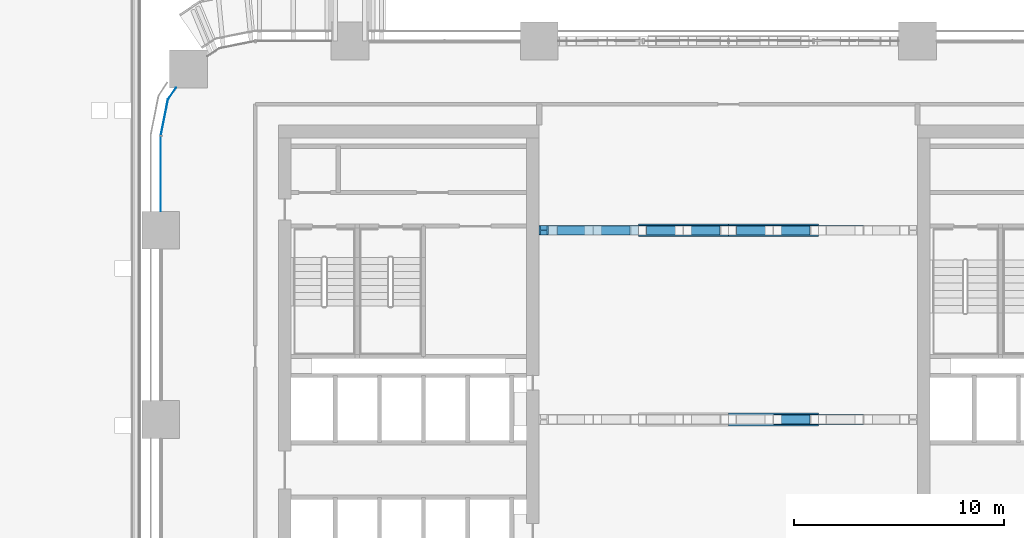
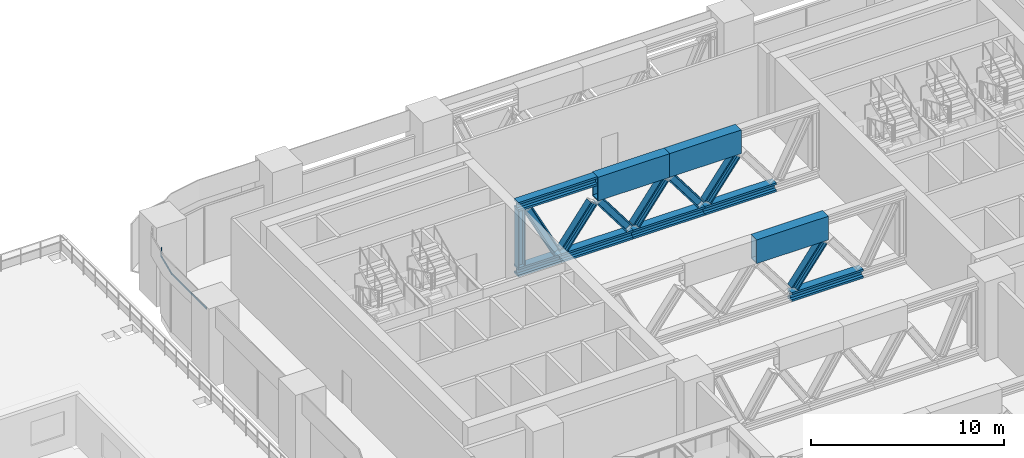
# One storey, part 7 of 35: 18 members, 1 element without a shape of its own.
"""IFC4 building model written with IfcOpenShell, lengths in metres."""

import ifcopenshell
import ifcopenshell.guid

model = None  # the IFC model being written
_history = None  # IfcOwnerHistory: only IFC2X3 demands one
_inside = {}  # id of a spatial element -> (the spatial element, [elements in it])
_under = {}  # id of a project, library or spatial element -> (it, [spatial elements below it])
_declared = {}  # id of a project -> (the project, [libraries it declares])
_typed = {}  # id of a type object -> (the type object, [elements of that type])
_made_of = {}  # id of a material, layer set ... -> (it, [elements and type objects made of it])


def new_model(schema):
    """Start an empty IFC model of exactly this schema.

    Asked for "IFC4X3", IfcOpenShell would pick the latest addendum, in which some entities
    have other attributes; the version numbers below select the first issue.
    IFC2X3 requires an IfcOwnerHistory on every rooted entity: one is made here for all.
    """
    global model, _history
    if schema == "IFC4X3":
        model = ifcopenshell.file(schema_version=(4, 3, 0, 0))
    else:
        model = ifcopenshell.file(schema=schema)
    _inside.clear()
    _under.clear()
    _declared.clear()
    _typed.clear()
    _made_of.clear()
    _history = None
    if model.schema == "IFC2X3":
        org = make("IfcOrganization", Name="unknown")
        user = make(
            "IfcPersonAndOrganization",
            ThePerson=make("IfcPerson", FamilyName="unknown"),
            TheOrganization=org,
        )
        app = make(
            "IfcApplication",
            ApplicationDeveloper=org,
            Version="unknown",
            ApplicationFullName="unknown",
            ApplicationIdentifier="unknown",
        )
        _history = make(
            "IfcOwnerHistory",
            OwningUser=user,
            OwningApplication=app,
            ChangeAction="ADDED",
            CreationDate=0,
        )
    return model


def make(cls, **values):
    """One entity of the class cls with the attributes given. An attribute that is None is left unset."""
    return model.create_entity(
        cls, **{name: value for name, value in values.items() if value is not None}
    )


def rooted(cls, **values):
    """An entity with a GlobalId (a new one), such as an element, a storey or a relation."""
    return make(cls, GlobalId=ifcopenshell.guid.new(), OwnerHistory=_history, **values)


def si_unit(unit_type, name, prefix=None):
    """IfcSIUnit, for example si_unit("LENGTHUNIT", "METRE", prefix="MILLI")."""
    return make("IfcSIUnit", UnitType=unit_type, Prefix=prefix, Name=name)


def assignment(units):
    """IfcUnitAssignment: the units of a project."""
    return None if units is None else make("IfcUnitAssignment", Units=units)


def point(xyz):
    """IfcCartesianPoint."""
    return None if xyz is None else make("IfcCartesianPoint", Coordinates=xyz)


def direction(xyz):
    """IfcDirection."""
    return None if xyz is None else make("IfcDirection", DirectionRatios=xyz)


def frame(location, z_axis=None, x_axis=None):
    """IfcAxis2Placement3D, a coordinate frame: its origin and axes. An axis left out is left unset."""
    return make(
        "IfcAxis2Placement3D",
        Location=point(location),
        Axis=direction(z_axis),
        RefDirection=direction(x_axis),
    )


def frame_2d(location, x_axis=None):
    """IfcAxis2Placement2D, a coordinate frame in the plane: its origin and x axis."""
    return make(
        "IfcAxis2Placement2D", Location=point(location), RefDirection=direction(x_axis)
    )


def origin():
    """The frame at (0, 0, 0) with its axes left unset."""
    return frame((0.0, 0.0, 0.0))


def origin_2d():
    """The frame at (0, 0) in the plane with its x axis left unset."""
    return frame_2d((0.0, 0.0))


def place(relative_to, where):
    """IfcLocalPlacement: puts the frame where relative to a parent placement (None: the world)."""
    return make(
        "IfcLocalPlacement", PlacementRelTo=relative_to, RelativePlacement=where
    )


def context(
    kind, dimensions, precision=None, world=None, true_north=None, identifier=None
):
    """IfcGeometricRepresentationContext, for example the 3D "Model" context."""
    return make(
        "IfcGeometricRepresentationContext",
        ContextIdentifier=identifier,
        ContextType=kind,
        CoordinateSpaceDimension=dimensions,
        Precision=precision,
        WorldCoordinateSystem=world,
        TrueNorth=true_north,
    )


def subcontext(parent, identifier, kind, view, scale=None):
    """IfcGeometricRepresentationSubContext, for example "Body" below "Model"."""
    return make(
        "IfcGeometricRepresentationSubContext",
        ContextIdentifier=identifier,
        ContextType=kind,
        ParentContext=parent,
        TargetScale=scale,
        TargetView=view,
    )


def project(units=None, contexts=None):
    """IfcProject with its units and contexts."""
    return rooted(
        "IfcProject",
        Name="project",
        RepresentationContexts=contexts,
        UnitsInContext=assignment(units),
    )


def spatial(cls, under=None, at=None, **own):
    """A site, building, storey or space (cls), placed at a placement, below another one or the project."""
    s = rooted(cls, ObjectPlacement=at, **own)
    if under is not None:
        _under.setdefault(under.id(), (under, []))[1].append(s)
    return s


def polyline(points):
    """IfcPolyline through the points."""
    return make("IfcPolyline", Points=[point(p) for p in points])


def profile(cls, at=None, kind="AREA", **sizes):
    """A parametric profile (cls). Its sizes go by their IFC names, for example OverallWidth=200.0."""
    return make(cls, ProfileType=kind, Position=at, **sizes)


def rectangle(**sizes):
    """IfcRectangleProfileDef."""
    return profile("IfcRectangleProfileDef", **sizes)


def hollow_rectangle(**sizes):
    """IfcRectangleHollowProfileDef."""
    return profile("IfcRectangleHollowProfileDef", **sizes)


def i_section(**sizes):
    """IfcIShapeProfileDef."""
    return profile("IfcIShapeProfileDef", **sizes)


def outline(outer, holes=None, kind="AREA"):
    """IfcArbitraryClosedProfileDef: a profile drawn as a closed curve; with holes, ...WithVoids."""
    if holes is None:
        return make("IfcArbitraryClosedProfileDef", ProfileType=kind, OuterCurve=outer)
    return make(
        "IfcArbitraryProfileDefWithVoids",
        ProfileType=kind,
        OuterCurve=outer,
        InnerCurves=holes,
    )


def extrude(swept, where, along, depth):
    """IfcExtrudedAreaSolid: the profile swept, set in the frame where, extruded along a direction by depth."""
    return make(
        "IfcExtrudedAreaSolid",
        SweptArea=swept,
        Position=where,
        ExtrudedDirection=direction(along),
        Depth=depth,
    )


def shape(context_of_items, identifier, shape_type, items):
    """IfcShapeRepresentation: the items that make up one representation, for example the "Body"."""
    return make(
        "IfcShapeRepresentation",
        ContextOfItems=context_of_items,
        RepresentationIdentifier=identifier,
        RepresentationType=shape_type,
        Items=items,
    )


def material(Name=None, Category=None):
    """IfcMaterial."""
    return make("IfcMaterial", Name=Name, Category=Category)


def material_profile(
    of_material, cross_section, Name=None, Category=None, Priority=None
):
    """IfcMaterialProfile: a cross section and its material."""
    return make(
        "IfcMaterialProfile",
        Name=Name,
        Material=of_material,
        Profile=cross_section,
        Priority=Priority,
        Category=Category,
    )


def profile_set(profiles, Name=None, composite=None):
    """IfcMaterialProfileSet."""
    return make(
        "IfcMaterialProfileSet",
        Name=Name,
        MaterialProfiles=profiles,
        CompositeProfile=composite,
    )


def made_of(thing, what):
    """Note that an element or type object is made of a material, layer set ...; save() writes the relation."""
    if what is not None:
        _made_of.setdefault(what.id(), (what, []))[1].append(thing)
    return thing


def type_object(cls, material=None, **own):
    """A type object (cls), such as IfcWallType, which elements share."""
    return made_of(rooted(cls, **own), material)


def element(
    cls,
    number,
    at=None,
    inside=None,
    cuts=None,
    type_object=None,
    material=None,
    context=None,
    identifier="Body",
    shape_type=None,
    held_by="IfcProductDefinitionShape",
    body=None,
    shapes=None,
    **own,
):
    """One element of the class cls, such as IfcWall. Its Tag is "e" and its number.

    at: its placement. inside: the storey or other place that contains it. cuts: it is an
    opening in that element (IfcRelVoidsElement). A single representation is given by context,
    identifier, shape_type and body (its items); several are given by shapes. held_by: the class
    of the entity that holds the representations. save() writes the other relations.
    """
    e = rooted(cls, Tag="e%d" % number, ObjectPlacement=at, **own)
    if body is not None:
        shapes = [shape(context, identifier, shape_type, body)]
    if shapes is not None:
        e.Representation = make(held_by, Representations=shapes)
    if inside is not None:
        _inside.setdefault(inside.id(), (inside, []))[1].append(e)
    if cuts is not None:
        rooted(
            "IfcRelVoidsElement", RelatingBuildingElement=cuts, RelatedOpeningElement=e
        )
    if type_object is not None:
        _typed.setdefault(type_object.id(), (type_object, []))[1].append(e)
    return made_of(e, material)


def aggregate(whole, parts):
    """IfcRelAggregates: a whole, such as a stair, and the parts it consists of."""
    return rooted("IfcRelAggregates", RelatingObject=whole, RelatedObjects=parts)


def save(model, path):
    """Write the relations noted so far, then the file.

    IfcRelAggregates (storeys below a building ...), IfcRelContainedInSpatialStructure (elements
    in a storey), IfcRelDefinesByType, IfcRelAssociatesMaterial and IfcRelDeclares: one each for
    every whole, place, type object, material and project.
    """
    for whole, parts in _under.values():
        aggregate(whole, parts)
    for where, things in _inside.values():
        rooted(
            "IfcRelContainedInSpatialStructure",
            RelatedElements=things,
            RelatingStructure=where,
        )
    for kind, things in _typed.values():
        rooted("IfcRelDefinesByType", RelatedObjects=things, RelatingType=kind)
    for what, things in _made_of.values():
        rooted("IfcRelAssociatesMaterial", RelatedObjects=things, RelatingMaterial=what)
    for by, libraries in _declared.values():
        rooted("IfcRelDeclares", RelatingContext=by, RelatedDefinitions=libraries)
    model.write(path)


model = new_model("IFC4")

# Units and contexts
model_context = context("Model", 3, precision=1e-05, world=origin(), true_north=direction((0.0, 1.0)))
body_context = subcontext(model_context, "Body", "Model", "MODEL_VIEW")
ifc_project = project(units=[si_unit("LENGTHUNIT", "METRE"), si_unit("AREAUNIT", "SQUARE_METRE"), si_unit("VOLUMEUNIT", "CUBIC_METRE"), si_unit("PLANEANGLEUNIT", "RADIAN"), si_unit("MASSUNIT", "GRAM", prefix="KILO")], contexts=[model_context])

# Site, building, storey
site_placement = place(None, origin())
site = spatial("IfcSite", under=ifc_project, at=site_placement, CompositionType="ELEMENT")
building_placement = place(site_placement, origin())
building = spatial("IfcBuilding", under=site, at=building_placement, Name="Tessera Arch", CompositionType="ELEMENT")
storey_placement = place(building_placement, frame((0.0, 0.0, 26.0)))
storey = spatial("IfcBuildingStorey", under=building, at=storey_placement, Name="L04", CompositionType="ELEMENT", Elevation=26.0)

# Curtain wall, member
ifc_material_1 = material(Name="CW7 curtain wall")
curtain_wall_type = type_object("IfcCurtainWallType", Name="CW7 curtain wall", PredefinedType="NOTDEFINED", material=ifc_material_1)
curtain_wall_placement = place(storey_placement, origin())
curtain_wall = element("IfcCurtainWall", 1, at=curtain_wall_placement, inside=storey, type_object=curtain_wall_type, Name="CW7 curtain wall W0.0/0 L04", PredefinedType="NOTDEFINED")
ifc_material_2 = material(Name="Anodised aluminium pale metal", Category="aluminium")
ifc_material_profile_1 = material_profile(ifc_material_2, rectangle(XDim=0.159912109375, YDim=0.1201171875, at=origin_2d()), Name="AL 160x120")
ifc_profile_set_1 = profile_set([ifc_material_profile_1], Name="Anodised aluminium pale metal")
member_type_1 = type_object("IfcMemberType", Name="CW7 transom", PredefinedType="USERDEFINED", material=ifc_profile_set_1)
member_1_placement = place(storey_placement, frame((0.0, 0.0, 3.580078125)))
member_1 = element("IfcMember", 2, at=member_1_placement, type_object=member_type_1, Name="CW7 transom W0.0/0 1", ObjectType="TRANSOM", PredefinedType="USERDEFINED", context=body_context, shape_type="SweptSolid", body=[
    extrude(outline(polyline([(0.351806640625, 51.21826171875), (0.72509765625, 51.7763671875), (0.70849609375, 51.78759765625), (0.3330078125, 51.22607421875), (-0.010009765625, 49.5009765625), (-0.010009765625, 45.89990234375), (0.010009765625, 45.89990234375), (0.010009765625, 49.4990234375), (0.351806640625, 51.21826171875)])), origin(), (0.0, 0.0, 1.0), 0.119873046875),
])
aggregate(curtain_wall, [member_1])

# Members
ifc_material_3 = material(Name="Steel A572 Gr50", Category="steel")
ifc_material_profile_2 = material_profile(ifc_material_3, hollow_rectangle(XDim=0.60009765625, YDim=1.5, WallThickness=0.06005859375, at=origin_2d()), Name="BOX 600x1500x60")
ifc_profile_set_2 = profile_set([ifc_material_profile_2], Name="Steel A572 Gr50")
member_type_2 = type_object("IfcMemberType", Name="Transfer truss node girder BOX 600x1500x60", PredefinedType="CHORD", material=ifc_profile_set_2)
for number, where, z_axis, x_axis, name in (
    (3, (27.0, 36.0, 3.949951171875), (1.0, 0.0, 0.0), (0.0, 1.0, 0.0), "Transfer truss node girder 3"),
    (4, (22.71728515625, 45.0, 3.949951171875), (1.0, 0.0, 0.0), (0.0, 1.0, 0.0), "Transfer truss node girder 2"),
    (5, (27.0, 45.0, 3.949951171875), (1.0, 0.0, 0.0), (0.0, 1.0, 0.0), "Transfer truss node girder 3"),
):
    element("IfcMember", number, at=place(storey_placement, frame(where, z_axis=z_axis, x_axis=x_axis)), inside=storey, type_object=member_type_2, Name=name, PredefinedType="CHORD", context=body_context, shape_type="SweptSolid", body=[
        extrude(hollow_rectangle(XDim=0.60009765625, YDim=1.5, WallThickness=0.06005859375, at=origin_2d()), origin(), (0.0, 0.0, 1.0), 4.28271484375),
    ])
ifc_material_4 = material(Name="Steel A992 Gr50", Category="steel")
ifc_material_profile_3 = material_profile(ifc_material_4, i_section(OverallWidth=0.45458984375, OverallDepth=0.56884765625, WebThickness=0.077880859375, FlangeThickness=0.124755859375, at=origin_2d()), Name="W14x730")
ifc_profile_set_3 = profile_set([ifc_material_profile_3], Name="Steel A992 Gr50")
member_type_3 = type_object("IfcMemberType", Name="Truss chord W14x730", PredefinedType="CHORD", material=ifc_profile_set_3)
member_2_placement = place(storey_placement, frame((29.141357421875, 36.0, 0.284423828125), z_axis=(1.0, 0.0, 0.0), x_axis=(0.0, 1.0, 0.0)))
element("IfcMember", 6, at=member_2_placement, inside=storey, type_object=member_type_3, Name="Transfer truss bottom chord 4", PredefinedType="CHORD", context=body_context, shape_type="SweptSolid", body=[
    extrude(i_section(OverallWidth=0.45458984375, OverallDepth=0.56884765625, WebThickness=0.077880859375, FlangeThickness=0.124755859375, at=origin_2d()), origin(), (0.0, 0.0, 1.0), 4.282958984375),
])
member_3_placement = place(storey_placement, frame((18.0, 45.0, 4.41552734375), z_axis=(1.0, 0.0, 0.0), x_axis=(0.0, 1.0, 0.0)))
element("IfcMember", 7, at=member_3_placement, inside=storey, type_object=member_type_3, Name="Transfer truss top chord 1", PredefinedType="CHORD", context=body_context, shape_type="SweptSolid", body=[
    extrude(i_section(OverallWidth=0.45458984375, OverallDepth=0.56884765625, WebThickness=0.077880859375, FlangeThickness=0.124755859375, at=origin_2d()), origin(), (0.0, 0.0, 1.0), 4.71728515625),
])
member_4_placement = place(storey_placement, frame((18.0, 45.0, 0.284423828125), z_axis=(1.0, 0.0, 0.0), x_axis=(0.0, 1.0, 0.0)))
element("IfcMember", 8, at=member_4_placement, inside=storey, type_object=member_type_3, Name="Transfer truss bottom chord 1", PredefinedType="CHORD", context=body_context, shape_type="SweptSolid", body=[
    extrude(i_section(OverallWidth=0.45458984375, OverallDepth=0.56884765625, WebThickness=0.077880859375, FlangeThickness=0.124755859375, at=origin_2d()), origin(), (0.0, 0.0, 1.0), 2.57568359375),
])
member_5_placement = place(storey_placement, frame((20.57568359375, 45.0, 0.284423828125), z_axis=(1.0, 0.0, 0.0), x_axis=(0.0, 1.0, 0.0)))
element("IfcMember", 9, at=member_5_placement, inside=storey, type_object=member_type_3, Name="Transfer truss bottom chord 2", PredefinedType="CHORD", context=body_context, shape_type="SweptSolid", body=[
    extrude(i_section(OverallWidth=0.45458984375, OverallDepth=0.56884765625, WebThickness=0.077880859375, FlangeThickness=0.124755859375, at=origin_2d()), origin(), (0.0, 0.0, 1.0), 4.282958984375),
])
member_6_placement = place(storey_placement, frame((24.858642578125, 45.0, 0.284423828125), z_axis=(1.0, 0.0, 0.0), x_axis=(0.0, 1.0, 0.0)))
element("IfcMember", 10, at=member_6_placement, inside=storey, type_object=member_type_3, Name="Transfer truss bottom chord 3", PredefinedType="CHORD", context=body_context, shape_type="SweptSolid", body=[
    extrude(i_section(OverallWidth=0.45458984375, OverallDepth=0.56884765625, WebThickness=0.077880859375, FlangeThickness=0.124755859375, at=origin_2d()), origin(), (0.0, 0.0, 1.0), 4.28271484375),
])
member_7_placement = place(storey_placement, frame((29.141357421875, 45.0, 0.284423828125), z_axis=(1.0, 0.0, 0.0), x_axis=(0.0, 1.0, 0.0)))
element("IfcMember", 11, at=member_7_placement, inside=storey, type_object=member_type_3, Name="Transfer truss bottom chord 4", PredefinedType="CHORD", context=body_context, shape_type="SweptSolid", body=[
    extrude(i_section(OverallWidth=0.45458984375, OverallDepth=0.56884765625, WebThickness=0.077880859375, FlangeThickness=0.124755859375, at=origin_2d()), origin(), (0.0, 0.0, 1.0), 4.282958984375),
])
ifc_material_5 = material(Name="Steel A992 Gr50", Category="steel")
ifc_material_profile_4 = material_profile(ifc_material_5, i_section(OverallWidth=0.424072265625, OverallDepth=0.47412109375, WebThickness=0.047607421875, FlangeThickness=0.0771484375, at=origin_2d()), Name="W14x426")
ifc_profile_set_4 = profile_set([ifc_material_profile_4], Name="Steel A992 Gr50")
member_type_4 = type_object("IfcMemberType", Name="Truss diagonal W14x426", PredefinedType="BRACE", material=ifc_profile_set_4)
member_8_placement = place(storey_placement, frame((29.341796875, 36.0, 0.725830078125), z_axis=(0.600592846889, 0.0, 0.799555021412), x_axis=(0.0, 1.0, 0.0)))
element("IfcMember", 12, at=member_8_placement, inside=storey, type_object=member_type_4, Name="Transfer truss diagonal 6", PredefinedType="BRACE", context=body_context, shape_type="SweptSolid", body=[
    extrude(i_section(OverallWidth=0.424072265625, OverallDepth=0.47412109375, WebThickness=0.047607421875, FlangeThickness=0.0771484375, at=origin_2d()), origin(), (0.0, 0.0, 1.0), 2.8984375),
])
member_9_placement = place(storey_placement, frame((18.653564453125, 45.0, 4.006591796875), z_axis=(0.457173271573, 0.0, -0.889377647436), x_axis=(0.0, 1.0, 0.0)))
element("IfcMember", 13, at=member_9_placement, inside=storey, type_object=member_type_4, Name="Transfer truss diagonal 1", PredefinedType="BRACE", context=body_context, shape_type="SweptSolid", body=[
    extrude(i_section(OverallWidth=0.424072265625, OverallDepth=0.47412109375, WebThickness=0.047607421875, FlangeThickness=0.0771484375, at=origin_2d()), origin(), (0.0, 0.0, 1.0), 3.725341796875),
])
for number, where, z_axis, x_axis, name in (
    (14, (20.776123046875, 45.0, 0.725830078125), (0.600592846889, 0.0, 0.799555021412), (0.0, 1.0, 0.0), "Transfer truss diagonal 2"),
    (15, (22.91748046875, 45.0, 3.043212890625), (0.600592846889, 0.0, -0.799555021412), (0.0, 1.0, 0.0), "Transfer truss diagonal 3"),
):
    element("IfcMember", number, at=place(storey_placement, frame(where, z_axis=z_axis, x_axis=x_axis)), inside=storey, type_object=member_type_4, Name=name, PredefinedType="BRACE", context=body_context, shape_type="SweptSolid", body=[
        extrude(i_section(OverallWidth=0.424072265625, OverallDepth=0.47412109375, WebThickness=0.047607421875, FlangeThickness=0.0771484375, at=origin_2d()), origin(), (0.0, 0.0, 1.0), 2.8984375),
    ])
for number, where, z_axis, x_axis, name in (
    (16, (25.05908203125, 45.0, 0.725830078125), (0.6005389926, 0.0, 0.799595471702), (0.0, 1.0, 0.0), "Transfer truss diagonal 4"),
    (17, (27.200439453125, 45.0, 3.043212890625), (0.6005389926, 0.0, -0.799595471702), (0.0, 1.0, 0.0), "Transfer truss diagonal 5"),
):
    element("IfcMember", number, at=place(storey_placement, frame(where, z_axis=z_axis, x_axis=x_axis)), inside=storey, type_object=member_type_4, Name=name, PredefinedType="BRACE", context=body_context, shape_type="SweptSolid", body=[
        extrude(i_section(OverallWidth=0.424072265625, OverallDepth=0.47412109375, WebThickness=0.047607421875, FlangeThickness=0.0771484375, at=origin_2d()), origin(), (0.0, 0.0, 1.0), 2.898193359375),
    ])
member_10_placement = place(storey_placement, frame((29.341796875, 45.0, 0.725830078125), z_axis=(0.600592846889, 0.0, 0.799555021412), x_axis=(0.0, 1.0, 0.0)))
element("IfcMember", 18, at=member_10_placement, inside=storey, type_object=member_type_4, Name="Transfer truss diagonal 6", PredefinedType="BRACE", context=body_context, shape_type="SweptSolid", body=[
    extrude(i_section(OverallWidth=0.424072265625, OverallDepth=0.47412109375, WebThickness=0.047607421875, FlangeThickness=0.0771484375, at=origin_2d()), origin(), (0.0, 0.0, 1.0), 2.8984375),
])
ifc_material_6 = material(Name="Steel A992 Gr50", Category="steel")
ifc_material_profile_5 = material_profile(ifc_material_6, i_section(OverallWidth=0.411376953125, OverallDepth=0.434326171875, WebThickness=0.035888671875, FlangeThickness=0.057373046875, at=origin_2d()), Name="W14x311")
ifc_profile_set_5 = profile_set([ifc_material_profile_5], Name="Steel A992 Gr50")
member_type_5 = type_object("IfcMemberType", Name="Truss post W14x311", PredefinedType="POST", material=ifc_profile_set_5)
member_11_placement = place(storey_placement, frame((18.21728515625, 45.0, 0.56884765625), z_axis=(0.0, 0.0, 1.0), x_axis=(0.0, 1.0, 0.0)))
element("IfcMember", 19, at=member_11_placement, inside=storey, type_object=member_type_5, Name="Transfer truss end post 1", PredefinedType="POST", context=body_context, shape_type="SweptSolid", body=[
    extrude(i_section(OverallWidth=0.411376953125, OverallDepth=0.434326171875, WebThickness=0.035888671875, FlangeThickness=0.057373046875, at=origin_2d()), origin(), (0.0, 0.0, 1.0), 3.562255859375),
])

save(model, "model.ifc")
